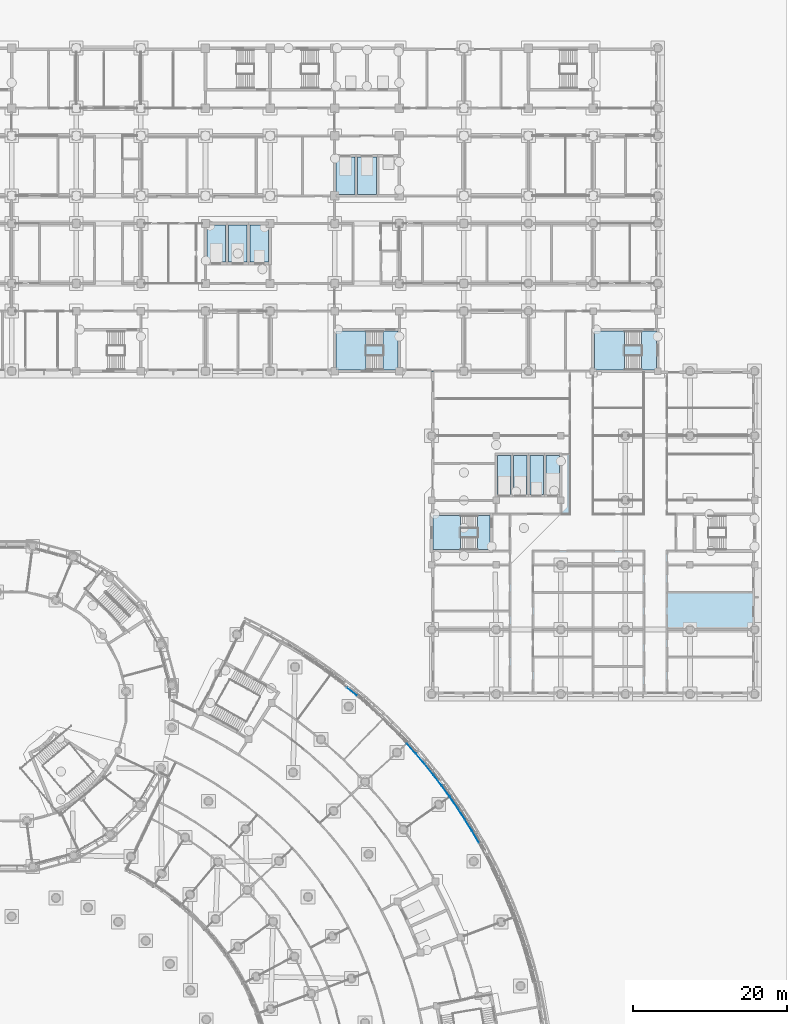
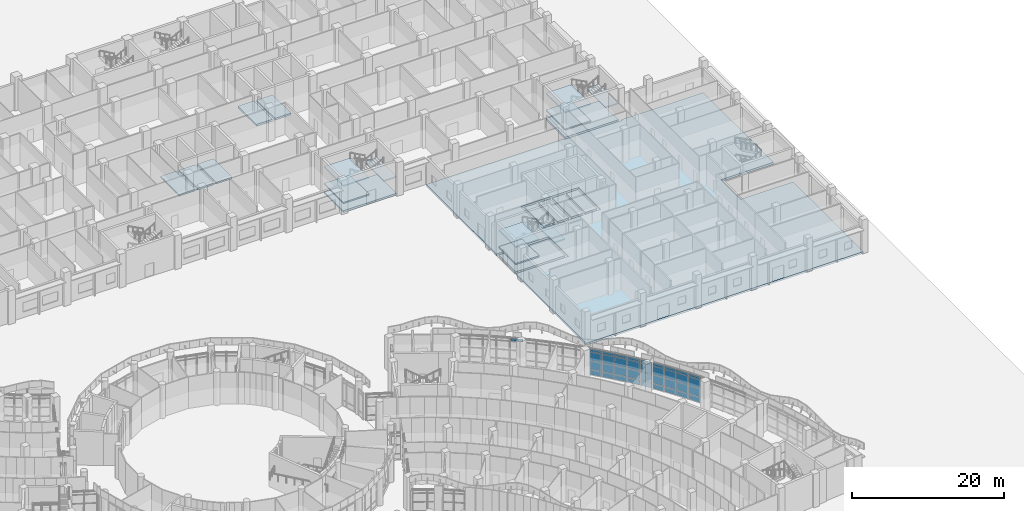
# One storey, part 52 of 146: 37 plates, 22 slabs, 6 elements without a shape of their own.
"""IFC4 building model written with IfcOpenShell, lengths in metres."""

from ifc_helpers import new_model, si_unit, direction, frame, origin, origin_2d, place, context, subcontext, project, spatial, polyline, rectangle, outline, extrude, material, layer, layer_set, type_object, element, aggregate, save


model = new_model("IFC4")

# Units and contexts
model_context = context("Model", 3, precision=1e-05, world=origin(), true_north=direction((0.0, 1.0)))
body_context = subcontext(model_context, "Body", "Model", "MODEL_VIEW")
ifc_project = project(units=[si_unit("LENGTHUNIT", "METRE"), si_unit("AREAUNIT", "SQUARE_METRE"), si_unit("VOLUMEUNIT", "CUBIC_METRE"), si_unit("PLANEANGLEUNIT", "RADIAN"), si_unit("MASSUNIT", "GRAM", prefix="KILO")], contexts=[model_context])

# Site, building, storey
site_placement = place(None, origin())
site = spatial("IfcSite", under=ifc_project, at=site_placement, CompositionType="ELEMENT")
building_placement = place(site_placement, origin())
building = spatial("IfcBuilding", under=site, at=building_placement, Name="Bougainvillea Quay General Hospital", CompositionType="ELEMENT")
storey_placement = place(building_placement, origin())
storey = spatial("IfcBuildingStorey", under=building, at=storey_placement, Name="L00", CompositionType="ELEMENT", Elevation=0.0)

# Curtain wall, plate
ifc_material_1 = material(Name="Aluminium curtain wall system, powder-coated glazed", Category="aluminium")
curtain_wall_type = type_object("IfcCurtainWallType", Name="Unitised curtain wall CW-2100", PredefinedType="NOTDEFINED", material=ifc_material_1)
curtain_wall_1_placement = place(storey_placement, origin())
curtain_wall_1 = element("IfcCurtainWall", 1, at=curtain_wall_1_placement, inside=storey, type_object=curtain_wall_type, Name="CW-E02 a23b1", PredefinedType="NOTDEFINED")
ifc_material_2 = material(Name="Insulated aluminium spandrel panel, white", Category="aluminium")
ifc_layer_1 = layer(ifc_material_2, 0.028076171875)
ifc_layer_set_1 = layer_set([ifc_layer_1], Name="Insulated aluminium spandrel panel, white")
plate_type_1 = type_object("IfcPlateType", Name="Insulated spandrel panel white 28", PredefinedType="CURTAIN_PANEL", material=ifc_layer_set_1)
plate_1_placement = place(storey_placement, frame((153.45068359375, 75.9091796875, 3.7802734375), z_axis=(0.0, 0.0, 1.0), x_axis=(0.772813329985, -0.634633403626, 0.0)))
plate_1 = element("IfcPlate", 2, at=plate_1_placement, type_object=plate_type_1, Name="CW-E02 spandrel panel 5.4", PredefinedType="CURTAIN_PANEL", context=body_context, shape_type="SweptSolid", body=[
    extrude(rectangle(XDim=1.690185546875, YDim=0.028076171875, at=origin_2d()), origin(), (0.0, 0.0, 1.0), 0.409912109375),
])
aggregate(curtain_wall_1, [plate_1])

# Curtain wall, plates
curtain_wall_2_placement = place(storey_placement, origin())
curtain_wall_2 = element("IfcCurtainWall", 3, at=curtain_wall_2_placement, inside=storey, type_object=curtain_wall_type, Name="CW-E04 a23b3", PredefinedType="NOTDEFINED")
plate_2_placement = place(storey_placement, frame((161.176513671875, 68.505859375, 0.06005859375), z_axis=(0.0, 0.0, 1.0), x_axis=(0.666959122159, -0.745094309044, 0.0)))
plate_2 = element("IfcPlate", 4, at=plate_2_placement, type_object=plate_type_1, Name="CW-E04 spandrel panel 1.1", PredefinedType="CURTAIN_PANEL", context=body_context, shape_type="SweptSolid", body=[
    extrude(rectangle(XDim=1.690185546875, YDim=0.028076171875, at=origin_2d()), origin(), (0.0, 0.0, 1.0), 0.81005859375),
])
plate_3_placement = place(storey_placement, frame((161.176513671875, 68.505859375, 3.7802734375), z_axis=(0.0, 0.0, 1.0), x_axis=(0.666959122159, -0.745094309044, 0.0)))
plate_3 = element("IfcPlate", 5, at=plate_3_placement, type_object=plate_type_1, Name="CW-E04 spandrel panel 1.4", PredefinedType="CURTAIN_PANEL", context=body_context, shape_type="SweptSolid", body=[
    extrude(rectangle(XDim=1.690185546875, YDim=0.028076171875, at=origin_2d()), origin(), (0.0, 0.0, 1.0), 0.409912109375),
])
plate_4_placement = place(storey_placement, frame((162.336669921875, 67.175537109375, 0.06005859375), z_axis=(0.0, 0.0, 1.0), x_axis=(0.647726390606, -0.761873035953, 0.0)))
plate_4 = element("IfcPlate", 6, at=plate_4_placement, type_object=plate_type_1, Name="CW-E04 spandrel panel 2.1", PredefinedType="CURTAIN_PANEL", context=body_context, shape_type="SweptSolid", body=[
    extrude(rectangle(XDim=1.72021484375, YDim=0.028076171875, at=origin_2d()), origin(), (0.0, 0.0, 1.0), 0.81005859375),
])
plate_5_placement = place(storey_placement, frame((162.336669921875, 67.175537109375, 3.7802734375), z_axis=(0.0, 0.0, 1.0), x_axis=(0.647726390606, -0.761873035953, 0.0)))
plate_5 = element("IfcPlate", 7, at=plate_5_placement, type_object=plate_type_1, Name="CW-E04 spandrel panel 2.4", PredefinedType="CURTAIN_PANEL", context=body_context, shape_type="SweptSolid", body=[
    extrude(rectangle(XDim=1.72021484375, YDim=0.028076171875, at=origin_2d()), origin(), (0.0, 0.0, 1.0), 0.409912109375),
])
plate_6_placement = place(storey_placement, frame((163.47216796875, 65.8046875, 0.06005859375), z_axis=(0.0, 0.0, 1.0), x_axis=(0.62807171477, -0.778155460757, 0.0)))
plate_6 = element("IfcPlate", 8, at=plate_6_placement, type_object=plate_type_1, Name="CW-E04 spandrel panel 3.1", PredefinedType="CURTAIN_PANEL", context=body_context, shape_type="SweptSolid", body=[
    extrude(rectangle(XDim=1.72021484375, YDim=0.028076171875, at=origin_2d()), origin(), (0.0, 0.0, 1.0), 0.81005859375),
])
plate_7_placement = place(storey_placement, frame((163.47216796875, 65.8046875, 3.7802734375), z_axis=(0.0, 0.0, 1.0), x_axis=(0.62807171477, -0.778155460757, 0.0)))
plate_7 = element("IfcPlate", 9, at=plate_7_placement, type_object=plate_type_1, Name="CW-E04 spandrel panel 3.4", PredefinedType="CURTAIN_PANEL", context=body_context, shape_type="SweptSolid", body=[
    extrude(rectangle(XDim=1.72021484375, YDim=0.028076171875, at=origin_2d()), origin(), (0.0, 0.0, 1.0), 0.409912109375),
])
plate_8_placement = place(storey_placement, frame((164.572509765625, 64.4052734375, 0.06005859375), z_axis=(0.0, 0.0, 1.0), x_axis=(0.608007898172, -0.793930976698, 0.0)))
plate_8 = element("IfcPlate", 10, at=plate_8_placement, type_object=plate_type_1, Name="CW-E04 spandrel panel 4.1", PredefinedType="CURTAIN_PANEL", context=body_context, shape_type="SweptSolid", body=[
    extrude(rectangle(XDim=1.72021484375, YDim=0.028076171875, at=origin_2d()), origin(), (0.0, 0.0, 1.0), 0.81005859375),
])
plate_9_placement = place(storey_placement, frame((164.572509765625, 64.4052734375, 3.7802734375), z_axis=(0.0, 0.0, 1.0), x_axis=(0.608007898172, -0.793930976698, 0.0)))
plate_9 = element("IfcPlate", 11, at=plate_9_placement, type_object=plate_type_1, Name="CW-E04 spandrel panel 4.4", PredefinedType="CURTAIN_PANEL", context=body_context, shape_type="SweptSolid", body=[
    extrude(rectangle(XDim=1.72021484375, YDim=0.028076171875, at=origin_2d()), origin(), (0.0, 0.0, 1.0), 0.409912109375),
])
plate_10_placement = place(storey_placement, frame((165.6279296875, 62.990478515625, 0.06005859375), z_axis=(0.0, 0.0, 1.0), x_axis=(0.587548010856, -0.809189307232, 0.0)))
plate_10 = element("IfcPlate", 12, at=plate_10_placement, type_object=plate_type_1, Name="CW-E04 spandrel panel 5.1", PredefinedType="CURTAIN_PANEL", context=body_context, shape_type="SweptSolid", body=[
    extrude(rectangle(XDim=1.690185546875, YDim=0.028076171875, at=origin_2d()), origin(), (0.0, 0.0, 1.0), 0.81005859375),
])
plate_11_placement = place(storey_placement, frame((165.6279296875, 62.990478515625, 3.7802734375), z_axis=(0.0, 0.0, 1.0), x_axis=(0.587548010856, -0.809189307232, 0.0)))
plate_11 = element("IfcPlate", 13, at=plate_11_placement, type_object=plate_type_1, Name="CW-E04 spandrel panel 5.4", PredefinedType="CURTAIN_PANEL", context=body_context, shape_type="SweptSolid", body=[
    extrude(rectangle(XDim=1.690185546875, YDim=0.028076171875, at=origin_2d()), origin(), (0.0, 0.0, 1.0), 0.409912109375),
])

curtain_wall_3_placement = place(storey_placement, origin())
curtain_wall_3 = element("IfcCurtainWall", 14, at=curtain_wall_3_placement, inside=storey, type_object=curtain_wall_type, Name="CW-E05 a23b4", PredefinedType="NOTDEFINED")
plate_12_placement = place(storey_placement, frame((166.672607421875, 61.512451171875, 0.06005859375), z_axis=(0.0, 0.0, 1.0), x_axis=(0.566705380876, -0.823920512723, 0.0)))
plate_12 = element("IfcPlate", 15, at=plate_12_placement, type_object=plate_type_1, Name="CW-E05 spandrel panel 1.1", PredefinedType="CURTAIN_PANEL", context=body_context, shape_type="SweptSolid", body=[
    extrude(rectangle(XDim=1.690185546875, YDim=0.028076171875, at=origin_2d()), origin(), (0.0, 0.0, 1.0), 0.81005859375),
])
plate_13_placement = place(storey_placement, frame((166.672607421875, 61.512451171875, 3.7802734375), z_axis=(0.0, 0.0, 1.0), x_axis=(0.566705380876, -0.823920512723, 0.0)))
plate_13 = element("IfcPlate", 16, at=plate_13_placement, type_object=plate_type_1, Name="CW-E05 spandrel panel 1.4", PredefinedType="CURTAIN_PANEL", context=body_context, shape_type="SweptSolid", body=[
    extrude(rectangle(XDim=1.690185546875, YDim=0.028076171875, at=origin_2d()), origin(), (0.0, 0.0, 1.0), 0.409912109375),
])
plate_14_placement = place(storey_placement, frame((167.654052734375, 60.04541015625, 0.06005859375), z_axis=(0.0, 0.0, 1.0), x_axis=(0.545493585615, -0.838114996915, 0.0)))
plate_14 = element("IfcPlate", 17, at=plate_14_placement, type_object=plate_type_1, Name="CW-E05 spandrel panel 2.1", PredefinedType="CURTAIN_PANEL", context=body_context, shape_type="SweptSolid", body=[
    extrude(rectangle(XDim=1.72021484375, YDim=0.028076171875, at=origin_2d()), origin(), (0.0, 0.0, 1.0), 0.81005859375),
])
plate_15_placement = place(storey_placement, frame((167.654052734375, 60.04541015625, 3.7802734375), z_axis=(0.0, 0.0, 1.0), x_axis=(0.545493585615, -0.838114996915, 0.0)))
plate_15 = element("IfcPlate", 18, at=plate_15_placement, type_object=plate_type_1, Name="CW-E05 spandrel panel 2.4", PredefinedType="CURTAIN_PANEL", context=body_context, shape_type="SweptSolid", body=[
    extrude(rectangle(XDim=1.72021484375, YDim=0.028076171875, at=origin_2d()), origin(), (0.0, 0.0, 1.0), 0.409912109375),
])
plate_16_placement = place(storey_placement, frame((168.60595703125, 58.541015625, 0.06005859375), z_axis=(0.0, 0.0, 1.0), x_axis=(0.523926442936, -0.851763513185, 0.0)))
plate_16 = element("IfcPlate", 19, at=plate_16_placement, type_object=plate_type_1, Name="CW-E05 spandrel panel 3.1", PredefinedType="CURTAIN_PANEL", context=body_context, shape_type="SweptSolid", body=[
    extrude(rectangle(XDim=1.72021484375, YDim=0.028076171875, at=origin_2d()), origin(), (0.0, 0.0, 1.0), 0.81005859375),
])
plate_17_placement = place(storey_placement, frame((168.60595703125, 58.541015625, 3.7802734375), z_axis=(0.0, 0.0, 1.0), x_axis=(0.523926442936, -0.851763513185, 0.0)))
plate_17 = element("IfcPlate", 20, at=plate_17_placement, type_object=plate_type_1, Name="CW-E05 spandrel panel 3.4", PredefinedType="CURTAIN_PANEL", context=body_context, shape_type="SweptSolid", body=[
    extrude(rectangle(XDim=1.72021484375, YDim=0.028076171875, at=origin_2d()), origin(), (0.0, 0.0, 1.0), 0.409912109375),
])
plate_18_placement = place(storey_placement, frame((169.519287109375, 57.01318359375, 0.06005859375), z_axis=(0.0, 0.0, 1.0), x_axis=(0.502018002187, -0.864857170567, 0.0)))
plate_18 = element("IfcPlate", 21, at=plate_18_placement, type_object=plate_type_1, Name="CW-E05 spandrel panel 4.1", PredefinedType="CURTAIN_PANEL", context=body_context, shape_type="SweptSolid", body=[
    extrude(rectangle(XDim=1.72021484375, YDim=0.028076171875, at=origin_2d()), origin(), (0.0, 0.0, 1.0), 0.81005859375),
])
plate_19_placement = place(storey_placement, frame((169.519287109375, 57.01318359375, 3.7802734375), z_axis=(0.0, 0.0, 1.0), x_axis=(0.502018002187, -0.864857170567, 0.0)))
plate_19 = element("IfcPlate", 22, at=plate_19_placement, type_object=plate_type_1, Name="CW-E05 spandrel panel 4.4", PredefinedType="CURTAIN_PANEL", context=body_context, shape_type="SweptSolid", body=[
    extrude(rectangle(XDim=1.72021484375, YDim=0.028076171875, at=origin_2d()), origin(), (0.0, 0.0, 1.0), 0.409912109375),
])

# Plate
ifc_material_3 = material(Name="Low-e laminated glass, solar control", Category="glass")
ifc_layer_2 = layer(ifc_material_3, 0.028076171875)
ifc_layer_set_2 = layer_set([ifc_layer_2], Name="Low-e laminated glass, solar control")
plate_type_2 = type_object("IfcPlateType", Name="Low-e laminated vision glass 28", PredefinedType="CURTAIN_PANEL", material=ifc_layer_set_2)
plate_20_placement = place(storey_placement, frame((161.176513671875, 68.505859375, 0.93017578125), z_axis=(0.0, 0.0, 1.0), x_axis=(0.666959122159, -0.745094309044, 0.0)))
plate_20 = element("IfcPlate", 23, at=plate_20_placement, type_object=plate_type_2, Name="CW-E04 vision glass panel 1.2", PredefinedType="CURTAIN_PANEL", context=body_context, shape_type="SweptSolid", body=[
    extrude(rectangle(XDim=1.690185546875, YDim=0.028076171875, at=origin_2d()), origin(), (0.0, 0.0, 1.0), 1.364990234375),
])

plate_21_placement = place(storey_placement, frame((161.176513671875, 68.505859375, 2.35498046875), z_axis=(0.0, 0.0, 1.0), x_axis=(0.666959122159, -0.745094309044, 0.0)))
plate_21 = element("IfcPlate", 24, at=plate_21_placement, type_object=plate_type_2, Name="CW-E04 vision glass panel 1.3", PredefinedType="CURTAIN_PANEL", context=body_context, shape_type="SweptSolid", body=[
    extrude(rectangle(XDim=1.690185546875, YDim=0.028076171875, at=origin_2d()), origin(), (0.0, 0.0, 1.0), 1.364990234375),
])

plate_22_placement = place(storey_placement, frame((162.336669921875, 67.175537109375, 0.93017578125), z_axis=(0.0, 0.0, 1.0), x_axis=(0.647726390606, -0.761873035953, 0.0)))
plate_22 = element("IfcPlate", 25, at=plate_22_placement, type_object=plate_type_2, Name="CW-E04 vision glass panel 2.2", PredefinedType="CURTAIN_PANEL", context=body_context, shape_type="SweptSolid", body=[
    extrude(rectangle(XDim=1.72021484375, YDim=0.028076171875, at=origin_2d()), origin(), (0.0, 0.0, 1.0), 1.364990234375),
])

plate_23_placement = place(storey_placement, frame((162.336669921875, 67.175537109375, 2.35498046875), z_axis=(0.0, 0.0, 1.0), x_axis=(0.647726390606, -0.761873035953, 0.0)))
plate_23 = element("IfcPlate", 26, at=plate_23_placement, type_object=plate_type_2, Name="CW-E04 vision glass panel 2.3", PredefinedType="CURTAIN_PANEL", context=body_context, shape_type="SweptSolid", body=[
    extrude(rectangle(XDim=1.72021484375, YDim=0.028076171875, at=origin_2d()), origin(), (0.0, 0.0, 1.0), 1.364990234375),
])

plate_24_placement = place(storey_placement, frame((163.47216796875, 65.8046875, 0.93017578125), z_axis=(0.0, 0.0, 1.0), x_axis=(0.62807171477, -0.778155460757, 0.0)))
plate_24 = element("IfcPlate", 27, at=plate_24_placement, type_object=plate_type_2, Name="CW-E04 vision glass panel 3.2", PredefinedType="CURTAIN_PANEL", context=body_context, shape_type="SweptSolid", body=[
    extrude(rectangle(XDim=1.72021484375, YDim=0.028076171875, at=origin_2d()), origin(), (0.0, 0.0, 1.0), 1.364990234375),
])

plate_25_placement = place(storey_placement, frame((163.47216796875, 65.8046875, 2.35498046875), z_axis=(0.0, 0.0, 1.0), x_axis=(0.62807171477, -0.778155460757, 0.0)))
plate_25 = element("IfcPlate", 28, at=plate_25_placement, type_object=plate_type_2, Name="CW-E04 vision glass panel 3.3", PredefinedType="CURTAIN_PANEL", context=body_context, shape_type="SweptSolid", body=[
    extrude(rectangle(XDim=1.72021484375, YDim=0.028076171875, at=origin_2d()), origin(), (0.0, 0.0, 1.0), 1.364990234375),
])

plate_26_placement = place(storey_placement, frame((164.572509765625, 64.4052734375, 0.93017578125), z_axis=(0.0, 0.0, 1.0), x_axis=(0.608007898172, -0.793930976698, 0.0)))
plate_26 = element("IfcPlate", 29, at=plate_26_placement, type_object=plate_type_2, Name="CW-E04 vision glass panel 4.2", PredefinedType="CURTAIN_PANEL", context=body_context, shape_type="SweptSolid", body=[
    extrude(rectangle(XDim=1.72021484375, YDim=0.028076171875, at=origin_2d()), origin(), (0.0, 0.0, 1.0), 1.364990234375),
])

plate_27_placement = place(storey_placement, frame((164.572509765625, 64.4052734375, 2.35498046875), z_axis=(0.0, 0.0, 1.0), x_axis=(0.608007898172, -0.793930976698, 0.0)))
plate_27 = element("IfcPlate", 30, at=plate_27_placement, type_object=plate_type_2, Name="CW-E04 vision glass panel 4.3", PredefinedType="CURTAIN_PANEL", context=body_context, shape_type="SweptSolid", body=[
    extrude(rectangle(XDim=1.72021484375, YDim=0.028076171875, at=origin_2d()), origin(), (0.0, 0.0, 1.0), 1.364990234375),
])

plate_28_placement = place(storey_placement, frame((165.6279296875, 62.990478515625, 0.93017578125), z_axis=(0.0, 0.0, 1.0), x_axis=(0.587548010856, -0.809189307232, 0.0)))
plate_28 = element("IfcPlate", 31, at=plate_28_placement, type_object=plate_type_2, Name="CW-E04 vision glass panel 5.2", PredefinedType="CURTAIN_PANEL", context=body_context, shape_type="SweptSolid", body=[
    extrude(rectangle(XDim=1.690185546875, YDim=0.028076171875, at=origin_2d()), origin(), (0.0, 0.0, 1.0), 1.364990234375),
])

plate_29_placement = place(storey_placement, frame((165.6279296875, 62.990478515625, 2.35498046875), z_axis=(0.0, 0.0, 1.0), x_axis=(0.587548010856, -0.809189307232, 0.0)))
plate_29 = element("IfcPlate", 32, at=plate_29_placement, type_object=plate_type_2, Name="CW-E04 vision glass panel 5.3", PredefinedType="CURTAIN_PANEL", context=body_context, shape_type="SweptSolid", body=[
    extrude(rectangle(XDim=1.690185546875, YDim=0.028076171875, at=origin_2d()), origin(), (0.0, 0.0, 1.0), 1.364990234375),
])

aggregate(curtain_wall_2, [plate_2, plate_20, plate_21, plate_3, plate_4, plate_22, plate_23, plate_5, plate_6, plate_24, plate_25, plate_7, plate_8, plate_26, plate_27, plate_9, plate_10, plate_28, plate_29, plate_11])

plate_30_placement = place(storey_placement, frame((166.672607421875, 61.512451171875, 0.93017578125), z_axis=(0.0, 0.0, 1.0), x_axis=(0.566705380876, -0.823920512723, 0.0)))
plate_30 = element("IfcPlate", 33, at=plate_30_placement, type_object=plate_type_2, Name="CW-E05 vision glass panel 1.2", PredefinedType="CURTAIN_PANEL", context=body_context, shape_type="SweptSolid", body=[
    extrude(rectangle(XDim=1.690185546875, YDim=0.028076171875, at=origin_2d()), origin(), (0.0, 0.0, 1.0), 1.364990234375),
])

plate_31_placement = place(storey_placement, frame((166.672607421875, 61.512451171875, 2.35498046875), z_axis=(0.0, 0.0, 1.0), x_axis=(0.566705380876, -0.823920512723, 0.0)))
plate_31 = element("IfcPlate", 34, at=plate_31_placement, type_object=plate_type_2, Name="CW-E05 vision glass panel 1.3", PredefinedType="CURTAIN_PANEL", context=body_context, shape_type="SweptSolid", body=[
    extrude(rectangle(XDim=1.690185546875, YDim=0.028076171875, at=origin_2d()), origin(), (0.0, 0.0, 1.0), 1.364990234375),
])

plate_32_placement = place(storey_placement, frame((167.654052734375, 60.04541015625, 0.93017578125), z_axis=(0.0, 0.0, 1.0), x_axis=(0.545493585615, -0.838114996915, 0.0)))
plate_32 = element("IfcPlate", 35, at=plate_32_placement, type_object=plate_type_2, Name="CW-E05 vision glass panel 2.2", PredefinedType="CURTAIN_PANEL", context=body_context, shape_type="SweptSolid", body=[
    extrude(rectangle(XDim=1.72021484375, YDim=0.028076171875, at=origin_2d()), origin(), (0.0, 0.0, 1.0), 1.364990234375),
])

plate_33_placement = place(storey_placement, frame((167.654052734375, 60.04541015625, 2.35498046875), z_axis=(0.0, 0.0, 1.0), x_axis=(0.545493585615, -0.838114996915, 0.0)))
plate_33 = element("IfcPlate", 36, at=plate_33_placement, type_object=plate_type_2, Name="CW-E05 vision glass panel 2.3", PredefinedType="CURTAIN_PANEL", context=body_context, shape_type="SweptSolid", body=[
    extrude(rectangle(XDim=1.72021484375, YDim=0.028076171875, at=origin_2d()), origin(), (0.0, 0.0, 1.0), 1.364990234375),
])

plate_34_placement = place(storey_placement, frame((168.60595703125, 58.541015625, 0.93017578125), z_axis=(0.0, 0.0, 1.0), x_axis=(0.523926442936, -0.851763513185, 0.0)))
plate_34 = element("IfcPlate", 37, at=plate_34_placement, type_object=plate_type_2, Name="CW-E05 vision glass panel 3.2", PredefinedType="CURTAIN_PANEL", context=body_context, shape_type="SweptSolid", body=[
    extrude(rectangle(XDim=1.72021484375, YDim=0.028076171875, at=origin_2d()), origin(), (0.0, 0.0, 1.0), 1.364990234375),
])

plate_35_placement = place(storey_placement, frame((168.60595703125, 58.541015625, 2.35498046875), z_axis=(0.0, 0.0, 1.0), x_axis=(0.523926442936, -0.851763513185, 0.0)))
plate_35 = element("IfcPlate", 38, at=plate_35_placement, type_object=plate_type_2, Name="CW-E05 vision glass panel 3.3", PredefinedType="CURTAIN_PANEL", context=body_context, shape_type="SweptSolid", body=[
    extrude(rectangle(XDim=1.72021484375, YDim=0.028076171875, at=origin_2d()), origin(), (0.0, 0.0, 1.0), 1.364990234375),
])

plate_36_placement = place(storey_placement, frame((169.519287109375, 57.01318359375, 0.93017578125), z_axis=(0.0, 0.0, 1.0), x_axis=(0.502018002187, -0.864857170567, 0.0)))
plate_36 = element("IfcPlate", 39, at=plate_36_placement, type_object=plate_type_2, Name="CW-E05 vision glass panel 4.2", PredefinedType="CURTAIN_PANEL", context=body_context, shape_type="SweptSolid", body=[
    extrude(rectangle(XDim=1.72021484375, YDim=0.028076171875, at=origin_2d()), origin(), (0.0, 0.0, 1.0), 1.364990234375),
])

plate_37_placement = place(storey_placement, frame((169.519287109375, 57.01318359375, 2.35498046875), z_axis=(0.0, 0.0, 1.0), x_axis=(0.502018002187, -0.864857170567, 0.0)))
plate_37 = element("IfcPlate", 40, at=plate_37_placement, type_object=plate_type_2, Name="CW-E05 vision glass panel 4.3", PredefinedType="CURTAIN_PANEL", context=body_context, shape_type="SweptSolid", body=[
    extrude(rectangle(XDim=1.72021484375, YDim=0.028076171875, at=origin_2d()), origin(), (0.0, 0.0, 1.0), 1.364990234375),
])

aggregate(curtain_wall_3, [plate_12, plate_30, plate_31, plate_13, plate_14, plate_32, plate_33, plate_15, plate_16, plate_34, plate_35, plate_17, plate_18, plate_36, plate_37, plate_19])

# Slabs
ifc_material_4 = material(Name="Concrete C35", Category="concrete")
ifc_layer_3 = layer(ifc_material_4, 0.300048828125)
ifc_layer_set_3 = layer_set([ifc_layer_3], Name="Concrete C35")
slab_type_1 = type_object("IfcSlabType", Name="RC FLAT SLAB 300 C35 GROUND", PredefinedType="BASESLAB", material=ifc_layer_set_3)
slab_1_placement = place(storey_placement, frame((0.0, 0.0, -0.300048828125)))
element("IfcSlab", 41, at=slab_1_placement, inside=storey, type_object=slab_type_1, Name="Slab S1 L00", PredefinedType="BASESLAB", context=body_context, shape_type="SweptSolid", body=[
    extrude(outline(polyline([(205.800048828125, 99.175048828125), (205.800048828125, 117.60009765625), (193.375, 117.60009765625), (193.375, 117.425048828125), (193.02490234375, 117.425048828125), (184.97509765625, 117.425048828125), (184.625, 117.425048828125), (184.625, 117.60009765625), (163.800048828125, 117.60009765625), (163.800048828125, 99.175048828125), (171.425048828125, 99.175048828125), (171.77490234375, 99.175048828125), (171.77490234375, 94.02490234375), (171.425048828125, 94.02490234375), (163.97509765625, 94.02490234375), (163.800048828125, 94.02490234375), (163.800048828125, 75.60009765625), (205.800048828125, 75.60009765625), (205.800048828125, 94.02490234375), (205.625, 94.02490234375), (198.175048828125, 94.02490234375), (197.824951171875, 94.02490234375), (197.824951171875, 98.824951171875), (197.824951171875, 99.175048828125), (205.625, 99.175048828125), (205.800048828125, 99.175048828125)]), holes=[polyline([(172.02490234375, 106.97509765625), (174.300048828125, 106.97509765625), (176.39990234375, 106.97509765625), (178.5, 106.97509765625), (180.425048828125, 106.97509765625), (180.77490234375, 106.97509765625), (180.77490234375, 101.22509765625), (180.425048828125, 101.22509765625), (178.5, 101.22509765625), (176.39990234375, 101.22509765625), (174.300048828125, 101.22509765625), (172.375, 101.22509765625), (172.02490234375, 101.22509765625), (172.02490234375, 106.625), (172.02490234375, 106.97509765625)])]), origin(), (0.0, 0.0, 1.0), 0.300048828125),
])
slab_2_placement = place(storey_placement, frame((0.0, 0.0, -0.300048828125)))
element("IfcSlab", 42, at=slab_2_placement, inside=storey, type_object=slab_type_1, Name="Slab S1 L00", PredefinedType="BASESLAB", context=body_context, shape_type="SweptSolid", body=[
    extrude(outline(polyline([(163.97509765625, 98.824951171875), (163.97509765625, 94.375), (171.425048828125, 94.375), (171.425048828125, 98.824951171875), (163.97509765625, 98.824951171875)])), origin(), (0.0, 0.0, 1.0), 0.300048828125),
])
slab_3_placement = place(storey_placement, frame((0.0, 0.0, -0.300048828125)))
element("IfcSlab", 43, at=slab_3_placement, inside=storey, type_object=slab_type_1, Name="Slab S1 L00", PredefinedType="BASESLAB", context=body_context, shape_type="SweptSolid", body=[
    extrude(outline(polyline([(174.125, 101.574951171875), (174.125, 106.625), (172.375, 106.625), (172.375, 101.574951171875), (174.125, 101.574951171875)])), origin(), (0.0, 0.0, 1.0), 0.300048828125),
])
slab_4_placement = place(storey_placement, frame((0.0, 0.0, -0.300048828125)))
element("IfcSlab", 44, at=slab_4_placement, inside=storey, type_object=slab_type_1, Name="Slab S1 L00", PredefinedType="BASESLAB", context=body_context, shape_type="SweptSolid", body=[
    extrude(outline(polyline([(180.425048828125, 101.574951171875), (180.425048828125, 106.625), (178.675048828125, 106.625), (178.675048828125, 101.574951171875), (180.425048828125, 101.574951171875)])), origin(), (0.0, 0.0, 1.0), 0.300048828125),
])
slab_5_placement = place(storey_placement, frame((0.0, 0.0, -0.300048828125)))
element("IfcSlab", 45, at=slab_5_placement, inside=storey, type_object=slab_type_1, Name="Slab S1 L00", PredefinedType="BASESLAB", context=body_context, shape_type="SweptSolid", body=[
    extrude(outline(polyline([(178.324951171875, 106.625), (176.574951171875, 106.625), (176.574951171875, 101.574951171875), (178.324951171875, 101.574951171875), (178.324951171875, 106.625)])), origin(), (0.0, 0.0, 1.0), 0.300048828125),
])
slab_6_placement = place(storey_placement, frame((0.0, 0.0, -0.300048828125)))
element("IfcSlab", 46, at=slab_6_placement, inside=storey, type_object=slab_type_1, Name="Slab S1 L00", PredefinedType="BASESLAB", context=body_context, shape_type="SweptSolid", body=[
    extrude(outline(polyline([(176.22509765625, 101.574951171875), (176.22509765625, 106.625), (174.47509765625, 106.625), (174.47509765625, 101.574951171875), (176.22509765625, 101.574951171875)])), origin(), (0.0, 0.0, 1.0), 0.300048828125),
])
slab_7_placement = place(storey_placement, frame((0.0, 0.0, -0.300048828125)))
element("IfcSlab", 47, at=slab_7_placement, inside=storey, type_object=slab_type_1, Name="Slab S1 L00", PredefinedType="BASESLAB", context=body_context, shape_type="SweptSolid", body=[
    extrude(outline(polyline([(151.375, 122.824951171875), (151.375, 117.77490234375), (159.425048828125, 117.77490234375), (159.425048828125, 122.824951171875), (151.375, 122.824951171875)])), origin(), (0.0, 0.0, 1.0), 0.300048828125),
])
slab_8_placement = place(storey_placement, frame((0.0, 0.0, -0.300048828125)))
element("IfcSlab", 48, at=slab_8_placement, inside=storey, type_object=slab_type_1, Name="Slab S1 L00", PredefinedType="BASESLAB", context=body_context, shape_type="SweptSolid", body=[
    extrude(outline(polyline([(193.02490234375, 122.824951171875), (184.97509765625, 122.824951171875), (184.97509765625, 117.77490234375), (193.02490234375, 117.77490234375), (193.02490234375, 122.824951171875)])), origin(), (0.0, 0.0, 1.0), 0.300048828125),
])
slab_9_placement = place(storey_placement, frame((0.0, 0.0, -0.300048828125)))
element("IfcSlab", 49, at=slab_9_placement, inside=storey, type_object=slab_type_1, Name="Slab S1 L00", PredefinedType="BASESLAB", context=body_context, shape_type="SweptSolid", body=[
    extrude(outline(polyline([(142.625, 136.625), (140.175048828125, 136.625), (140.175048828125, 131.77490234375), (142.625, 131.77490234375), (142.625, 136.625)])), origin(), (0.0, 0.0, 1.0), 0.300048828125),
])
slab_10_placement = place(storey_placement, frame((0.0, 0.0, -0.300048828125)))
element("IfcSlab", 50, at=slab_10_placement, inside=storey, type_object=slab_type_1, Name="Slab S1 L00", PredefinedType="BASESLAB", context=body_context, shape_type="SweptSolid", body=[
    extrude(outline(polyline([(139.824951171875, 136.625), (137.375, 136.625), (137.375, 131.77490234375), (139.824951171875, 131.77490234375), (139.824951171875, 136.625)])), origin(), (0.0, 0.0, 1.0), 0.300048828125),
])
slab_11_placement = place(storey_placement, frame((0.0, 0.0, -0.300048828125)))
element("IfcSlab", 51, at=slab_11_placement, inside=storey, type_object=slab_type_1, Name="Slab S1 L00", PredefinedType="BASESLAB", context=body_context, shape_type="SweptSolid", body=[
    extrude(outline(polyline([(154.175048828125, 145.425048828125), (154.175048828125, 140.574951171875), (156.625, 140.574951171875), (156.625, 145.425048828125), (154.175048828125, 145.425048828125)])), origin(), (0.0, 0.0, 1.0), 0.300048828125),
])
slab_12_placement = place(storey_placement, frame((0.0, 0.0, -0.300048828125)))
element("IfcSlab", 52, at=slab_12_placement, inside=storey, type_object=slab_type_1, Name="Slab S1 L00", PredefinedType="BASESLAB", context=body_context, shape_type="SweptSolid", body=[
    extrude(outline(polyline([(151.375, 145.425048828125), (151.375, 140.574951171875), (153.824951171875, 140.574951171875), (153.824951171875, 145.425048828125), (151.375, 145.425048828125)])), origin(), (0.0, 0.0, 1.0), 0.300048828125),
])
slab_13_placement = place(storey_placement, frame((0.0, 0.0, -0.300048828125)))
element("IfcSlab", 53, at=slab_13_placement, inside=storey, type_object=slab_type_1, Name="Slab S1 L00", PredefinedType="BASESLAB", context=body_context, shape_type="SweptSolid", body=[
    extrude(outline(polyline([(137.02490234375, 136.625), (134.574951171875, 136.625), (134.574951171875, 131.77490234375), (137.02490234375, 131.77490234375), (137.02490234375, 136.625)])), origin(), (0.0, 0.0, 1.0), 0.300048828125),
])

# Stair, slabs
stair_type_1 = type_object("IfcStairType", Name="Stair half-turn 1925 wide", PredefinedType="HALF_TURN_STAIR", material=ifc_material_4)
stair_1_placement = place(storey_placement, origin())
stair_1 = element("IfcStair", 54, at=stair_1_placement, inside=storey, type_object=stair_type_1, Name="L00 stair ST-D4", PredefinedType="HALF_TURN_STAIR")
ifc_layer_4 = layer(ifc_material_4, 0.199951171875)
ifc_layer_set_4 = layer_set([ifc_layer_4], Name="Concrete C35")
slab_type_2 = type_object("IfcSlabType", Name="Stair landing 200", PredefinedType="LANDING", material=ifc_layer_set_4)
slab_14_placement = place(storey_placement, frame((0.0, 0.0, 1.14990234375)))
slab_14 = element("IfcSlab", 55, at=slab_14_placement, type_object=slab_type_2, Name="ST-D4 landing 1", PredefinedType="LANDING", context=body_context, shape_type="SweptSolid", body=[
    extrude(outline(polyline([(188.860107421875, 122.824951171875), (184.97509765625, 122.824951171875), (184.97509765625, 117.77490234375), (188.860107421875, 117.77490234375), (188.860107421875, 122.824951171875)])), origin(), (0.0, 0.0, 1.0), 0.2001953125),
])
slab_15_placement = place(storey_placement, frame((0.0, 0.0, 2.5)))
slab_15 = element("IfcSlab", 56, at=slab_15_placement, type_object=slab_type_2, Name="ST-D4 landing 2", PredefinedType="LANDING", context=body_context, shape_type="SweptSolid", body=[
    extrude(outline(polyline([(193.02490234375, 122.824951171875), (191.10009765625, 122.824951171875), (191.10009765625, 117.77490234375), (193.02490234375, 117.77490234375), (193.02490234375, 122.824951171875)])), origin(), (0.0, 0.0, 1.0), 0.199951171875),
])
slab_16_placement = place(storey_placement, frame((0.0, 0.0, 3.85009765625)))
slab_16 = element("IfcSlab", 57, at=slab_16_placement, type_object=slab_type_2, Name="ST-D4 landing 3", PredefinedType="LANDING", context=body_context, shape_type="SweptSolid", body=[
    extrude(outline(polyline([(188.860107421875, 122.824951171875), (184.97509765625, 122.824951171875), (184.97509765625, 117.77490234375), (188.860107421875, 117.77490234375), (188.860107421875, 122.824951171875)])), origin(), (0.0, 0.0, 1.0), 0.199951171875),
])
aggregate(stair_1, [slab_14, slab_15, slab_16])

stair_type_2 = type_object("IfcStairType", Name="Stair half-turn 1650 wide", PredefinedType="HALF_TURN_STAIR", material=ifc_material_4)
stair_2_placement = place(storey_placement, origin())
stair_2 = element("IfcStair", 58, at=stair_2_placement, inside=storey, type_object=stair_type_2, Name="L00 stair ST-T1", PredefinedType="HALF_TURN_STAIR")
slab_17_placement = place(storey_placement, frame((0.0, 0.0, 1.14990234375)))
slab_17 = element("IfcSlab", 59, at=slab_17_placement, type_object=slab_type_2, Name="ST-T1 landing 1", PredefinedType="LANDING", context=body_context, shape_type="SweptSolid", body=[
    extrude(outline(polyline([(167.534912109375, 98.824951171875), (163.97509765625, 98.824951171875), (163.97509765625, 94.375), (167.534912109375, 94.375), (167.534912109375, 98.824951171875)])), origin(), (0.0, 0.0, 1.0), 0.2001953125),
])
slab_18_placement = place(storey_placement, frame((0.0, 0.0, 2.5)))
slab_18 = element("IfcSlab", 60, at=slab_18_placement, type_object=slab_type_2, Name="ST-T1 landing 2", PredefinedType="LANDING", context=body_context, shape_type="SweptSolid", body=[
    extrude(outline(polyline([(171.425048828125, 98.824951171875), (169.77490234375, 98.824951171875), (169.77490234375, 94.375), (171.425048828125, 94.375), (171.425048828125, 98.824951171875)])), origin(), (0.0, 0.0, 1.0), 0.199951171875),
])
slab_19_placement = place(storey_placement, frame((0.0, 0.0, 3.85009765625)))
slab_19 = element("IfcSlab", 61, at=slab_19_placement, type_object=slab_type_2, Name="ST-T1 landing 3", PredefinedType="LANDING", context=body_context, shape_type="SweptSolid", body=[
    extrude(outline(polyline([(167.534912109375, 98.824951171875), (163.97509765625, 98.824951171875), (163.97509765625, 94.375), (167.534912109375, 94.375), (167.534912109375, 98.824951171875)])), origin(), (0.0, 0.0, 1.0), 0.199951171875),
])
aggregate(stair_2, [slab_17, slab_18, slab_19])

stair_3_placement = place(storey_placement, origin())
stair_3 = element("IfcStair", 62, at=stair_3_placement, inside=storey, type_object=stair_type_1, Name="L00 stair ST-B4", PredefinedType="HALF_TURN_STAIR")
slab_20_placement = place(storey_placement, frame((0.0, 0.0, 1.14990234375)))
slab_20 = element("IfcSlab", 63, at=slab_20_placement, type_object=slab_type_2, Name="ST-B4 landing 1", PredefinedType="LANDING", context=body_context, shape_type="SweptSolid", body=[
    extrude(outline(polyline([(155.260009765625, 122.824951171875), (151.375, 122.824951171875), (151.375, 117.77490234375), (155.260009765625, 117.77490234375), (155.260009765625, 122.824951171875)])), origin(), (0.0, 0.0, 1.0), 0.2001953125),
])
slab_21_placement = place(storey_placement, frame((0.0, 0.0, 2.5)))
slab_21 = element("IfcSlab", 64, at=slab_21_placement, type_object=slab_type_2, Name="ST-B4 landing 2", PredefinedType="LANDING", context=body_context, shape_type="SweptSolid", body=[
    extrude(outline(polyline([(159.425048828125, 122.824951171875), (157.5, 122.824951171875), (157.5, 117.77490234375), (159.425048828125, 117.77490234375), (159.425048828125, 122.824951171875)])), origin(), (0.0, 0.0, 1.0), 0.199951171875),
])
slab_22_placement = place(storey_placement, frame((0.0, 0.0, 3.85009765625)))
slab_22 = element("IfcSlab", 65, at=slab_22_placement, type_object=slab_type_2, Name="ST-B4 landing 3", PredefinedType="LANDING", context=body_context, shape_type="SweptSolid", body=[
    extrude(outline(polyline([(155.260009765625, 122.824951171875), (151.375, 122.824951171875), (151.375, 117.77490234375), (155.260009765625, 117.77490234375), (155.260009765625, 122.824951171875)])), origin(), (0.0, 0.0, 1.0), 0.199951171875),
])
aggregate(stair_3, [slab_20, slab_21, slab_22])

save(model, "model.ifc")
